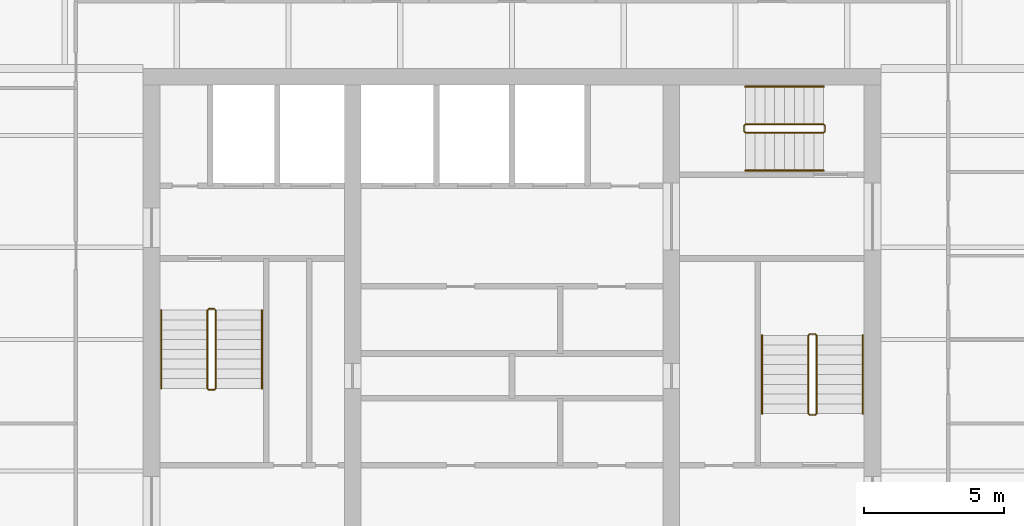
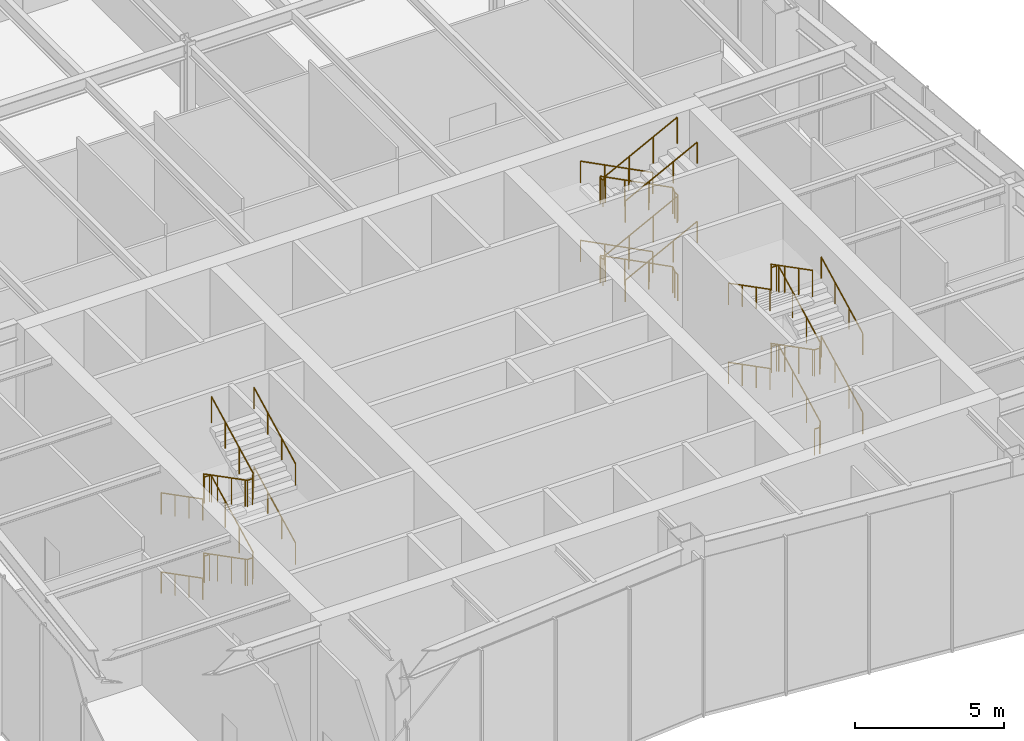
# One storey, part 13 of 15: 15 railings.
"""IFC4 building model written with IfcOpenShell, lengths in metres."""

from ifc_helpers import new_model, si_unit, direction, frame, origin, origin_2d, place, context, subcontext, project, spatial, circle, extrude, material, type_object, element, save


model = new_model("IFC4")

# Units and contexts
model_context = context("Model", 3, precision=1e-05, world=origin(), true_north=direction((0.0, 1.0)))
body_context = subcontext(model_context, "Body", "Model", "MODEL_VIEW")
ifc_project = project(units=[si_unit("LENGTHUNIT", "METRE"), si_unit("AREAUNIT", "SQUARE_METRE"), si_unit("VOLUMEUNIT", "CUBIC_METRE"), si_unit("PLANEANGLEUNIT", "RADIAN"), si_unit("MASSUNIT", "GRAM", prefix="KILO")], contexts=[model_context])

# Site, building, storey
site_placement = place(None, origin())
site = spatial("IfcSite", under=ifc_project, at=site_placement, CompositionType="ELEMENT")
building_placement = place(site_placement, origin())
building = spatial("IfcBuilding", under=site, at=building_placement, Name="Verdant Reach Tower", CompositionType="ELEMENT")
storey_placement = place(building_placement, frame((0.0, 0.0, 334.0)))
storey = spatial("IfcBuildingStorey", under=building, at=storey_placement, Name="L77", CompositionType="ELEMENT", Elevation=334.0)

# Railings
ifc_material = material(Name="Stainless steel", Category="steel")
railing_type_1 = type_object("IfcRailingType", Name="CO-GUARD", PredefinedType="GUARDRAIL", material=ifc_material)
railing_1_placement = place(storey_placement, frame((-10.64990234375, 29.60009765625, 0.0)))
element("IfcRailing", 1, at=railing_1_placement, inside=storey, type_object=railing_type_1, Name="L77 ST-1 stair guard 1", PredefinedType="GUARDRAIL", context=body_context, shape_type="SweptSolid", body=[
    extrude(circle(Radius=0.02392578125, at=origin_2d()), frame((0.0, 0.0, 1.076171875), z_axis=(-1.0, 0.0, 0.0), x_axis=(0.0, -1.0, 0.0)), (0.0, 0.0, 1.0), 0.2001953125),
    extrude(circle(Radius=0.02392578125, at=origin_2d()), frame((-0.2001953125, 0.0, 1.076171875), z_axis=(-0.256763074812, -0.258021717336, 0.931395467455), x_axis=(0.708833529934, -0.705375805398, 0.0)), (0.0, 0.0, 1.0), 0.194091796875),
    extrude(circle(Radius=0.02392578125, at=origin_2d()), frame((-0.25, -0.050048828125, 1.2568359375), z_axis=(0.0, -0.888730658104, 0.458429729998), x_axis=(1.0, 0.0, 0.0)), (0.0, 0.0, 1.0), 3.150634765625),
    extrude(circle(Radius=0.02392578125, at=origin_2d()), frame((-0.25, -2.85009765625, 2.701171875), z_axis=(0.705375805398, -0.708833529934, 0.0), x_axis=(0.708833529934, 0.705375805398, 0.0)), (0.0, 0.0, 1.0), 0.070556640625),
    extrude(circle(Radius=0.02392578125, at=origin_2d()), frame((-0.2001953125, -2.900146484375, 2.701171875), z_axis=(1.0, 0.0, 0.0), x_axis=(0.0, 1.0, 0.0)), (0.0, 0.0, 1.0), 0.2001953125),
    extrude(circle(Radius=0.02392578125, at=origin_2d()), frame((0.0, -2.900146484375, 2.701171875), z_axis=(0.256763074812, 0.258021717336, 0.931395467455), x_axis=(-0.708833529934, 0.705375805398, 0.0)), (0.0, 0.0, 1.0), 0.194091796875),
    extrude(circle(Radius=0.02392578125, at=origin_2d()), frame((0.0498046875, -2.85009765625, 2.8818359375), z_axis=(0.0, 0.888730658104, 0.458429729998), x_axis=(-1.0, 0.0, 0.0)), (0.0, 0.0, 1.0), 3.150634765625),
    extrude(circle(Radius=0.02392578125, at=origin_2d()), frame((0.0498046875, -0.050048828125, 4.326171875), z_axis=(-0.705375805398, 0.708833529934, 0.0), x_axis=(-0.708833529934, -0.705375805398, 0.0)), (0.0, 0.0, 1.0), 0.070556640625),
    extrude(circle(Radius=0.02392578125, at=origin_2d()), frame((0.0, 0.0, 4.326171875), z_axis=(-1.0, 0.0, 0.0), x_axis=(0.0, -1.0, 0.0)), (0.0, 0.0, 1.0), 0.2001953125),
    extrude(circle(Radius=0.02392578125, at=origin_2d()), frame((-0.2001953125, 0.0, 4.326171875), z_axis=(-0.256763074812, -0.258021717336, 0.931395467455), x_axis=(0.708833529934, -0.705375805398, 0.0)), (0.0, 0.0, 1.0), 0.194091796875),
    extrude(circle(Radius=0.02392578125, at=origin_2d()), frame((-0.25, -0.050048828125, 4.5068359375), z_axis=(0.0, -0.888730658104, 0.458429729998), x_axis=(1.0, 0.0, 0.0)), (0.0, 0.0, 1.0), 3.150634765625),
    extrude(circle(Radius=0.02392578125, at=origin_2d()), frame((-0.25, -2.85009765625, 5.951171875), z_axis=(0.705375805398, -0.708833529934, 0.0), x_axis=(0.708833529934, 0.705375805398, 0.0)), (0.0, 0.0, 1.0), 0.070556640625),
    extrude(circle(Radius=0.02392578125, at=origin_2d()), frame((-0.2001953125, -2.900146484375, 5.951171875), z_axis=(1.0, 0.0, 0.0), x_axis=(0.0, 1.0, 0.0)), (0.0, 0.0, 1.0), 0.2001953125),
    extrude(circle(Radius=0.02392578125, at=origin_2d()), frame((0.0, -2.900146484375, 5.951171875), z_axis=(0.256763074812, 0.258021717336, 0.931395467455), x_axis=(-0.708833529934, 0.705375805398, 0.0)), (0.0, 0.0, 1.0), 0.194091796875),
    extrude(circle(Radius=0.02392578125, at=origin_2d()), frame((0.0498046875, -2.85009765625, 6.1318359375), z_axis=(0.0, 0.888730658104, 0.458429729998), x_axis=(-1.0, 0.0, 0.0)), (0.0, 0.0, 1.0), 3.150634765625),
    extrude(circle(Radius=0.02099609375, at=origin_2d()), origin(), (0.0, 0.0, 1.0), 1.052001953125),
    extrude(circle(Radius=0.02099609375, at=origin_2d()), frame((-0.2001953125, 0.0, 0.0)), (0.0, 0.0, 1.0), 1.052001953125),
    extrude(circle(Radius=0.02099609375, at=origin_2d()), frame((-0.25, -0.050048828125, 0.1806640625)), (0.0, 0.0, 1.0), 1.052001953125),
    extrude(circle(Radius=0.02099609375, at=origin_2d()), frame((-0.25, -0.9833984375, 0.662109375)), (0.0, 0.0, 1.0), 1.052001953125),
    extrude(circle(Radius=0.02099609375, at=origin_2d()), frame((-0.25, -1.916748046875, 1.1435546875)), (0.0, 0.0, 1.0), 1.052001953125),
    extrude(circle(Radius=0.02099609375, at=origin_2d()), frame((-0.25, -2.85009765625, 1.625)), (0.0, 0.0, 1.0), 1.052001953125),
    extrude(circle(Radius=0.02099609375, at=origin_2d()), frame((-0.2001953125, -2.900146484375, 1.625)), (0.0, 0.0, 1.0), 1.052001953125),
    extrude(circle(Radius=0.02099609375, at=origin_2d()), frame((0.0, -2.900146484375, 1.625)), (0.0, 0.0, 1.0), 1.052001953125),
    extrude(circle(Radius=0.02099609375, at=origin_2d()), frame((0.0498046875, -2.85009765625, 1.8056640625)), (0.0, 0.0, 1.0), 1.052001953125),
    extrude(circle(Radius=0.02099609375, at=origin_2d()), frame((0.0498046875, -1.916748046875, 2.287109375)), (0.0, 0.0, 1.0), 1.052001953125),
    extrude(circle(Radius=0.02099609375, at=origin_2d()), frame((0.0498046875, -0.9833984375, 2.7685546875)), (0.0, 0.0, 1.0), 1.052001953125),
    extrude(circle(Radius=0.02099609375, at=origin_2d()), frame((0.0498046875, -0.050048828125, 3.25)), (0.0, 0.0, 1.0), 1.052001953125),
    extrude(circle(Radius=0.02099609375, at=origin_2d()), frame((0.0, 0.0, 3.25)), (0.0, 0.0, 1.0), 1.052001953125),
    extrude(circle(Radius=0.02099609375, at=origin_2d()), frame((-0.2001953125, 0.0, 3.25)), (0.0, 0.0, 1.0), 1.052001953125),
    extrude(circle(Radius=0.02099609375, at=origin_2d()), frame((-0.25, -0.050048828125, 3.4306640625)), (0.0, 0.0, 1.0), 1.052001953125),
    extrude(circle(Radius=0.02099609375, at=origin_2d()), frame((-0.25, -0.9833984375, 3.912109375)), (0.0, 0.0, 1.0), 1.052001953125),
    extrude(circle(Radius=0.02099609375, at=origin_2d()), frame((-0.25, -1.916748046875, 4.3935546875)), (0.0, 0.0, 1.0), 1.052001953125),
    extrude(circle(Radius=0.02099609375, at=origin_2d()), frame((-0.25, -2.85009765625, 4.875)), (0.0, 0.0, 1.0), 1.052001953125),
    extrude(circle(Radius=0.02099609375, at=origin_2d()), frame((-0.2001953125, -2.900146484375, 4.875)), (0.0, 0.0, 1.0), 1.052001953125),
    extrude(circle(Radius=0.02099609375, at=origin_2d()), frame((0.0, -2.900146484375, 4.875)), (0.0, 0.0, 1.0), 1.052001953125),
    extrude(circle(Radius=0.02099609375, at=origin_2d()), frame((0.0498046875, -2.85009765625, 5.0556640625)), (0.0, 0.0, 1.0), 1.052001953125),
    extrude(circle(Radius=0.02099609375, at=origin_2d()), frame((0.0498046875, -1.916748046875, 5.537109375)), (0.0, 0.0, 1.0), 1.052001953125),
    extrude(circle(Radius=0.02099609375, at=origin_2d()), frame((0.0498046875, -0.9833984375, 6.0185546875)), (0.0, 0.0, 1.0), 1.052001953125),
    extrude(circle(Radius=0.02099609375, at=origin_2d()), frame((0.0498046875, -0.050048828125, 6.5)), (0.0, 0.0, 1.0), 1.052001953125),
])
railing_2_placement = place(storey_placement, frame((10.64990234375, 25.800048828125, 0.0)))
element("IfcRailing", 2, at=railing_2_placement, inside=storey, type_object=railing_type_1, Name="L77 ST-2 stair guard 1", PredefinedType="GUARDRAIL", context=body_context, shape_type="SweptSolid", body=[
    extrude(circle(Radius=0.02392578125, at=origin_2d()), frame((0.0, 0.0, 1.076171875), z_axis=(1.0, 0.0, 0.0), x_axis=(0.0, 1.0, 0.0)), (0.0, 0.0, 1.0), 0.2001953125),
    extrude(circle(Radius=0.02392578125, at=origin_2d()), frame((0.2001953125, 0.0, 1.076171875), z_axis=(0.256763074812, 0.258021717336, 0.931395467455), x_axis=(-0.708833529934, 0.705375805398, 0.0)), (0.0, 0.0, 1.0), 0.194091796875),
    extrude(circle(Radius=0.02392578125, at=origin_2d()), frame((0.25, 0.050048828125, 1.2568359375), z_axis=(0.0, 0.888714371332, 0.458461302825), x_axis=(-1.0, 0.0, 0.0)), (0.0, 0.0, 1.0), 3.150390625),
    extrude(circle(Radius=0.02392578125, at=origin_2d()), frame((0.25, 2.849853515625, 2.701171875), z_axis=(-0.705375805398, 0.708833529934, 0.0), x_axis=(-0.708833529934, -0.705375805398, 0.0)), (0.0, 0.0, 1.0), 0.070556640625),
    extrude(circle(Radius=0.02392578125, at=origin_2d()), frame((0.2001953125, 2.89990234375, 2.701171875), z_axis=(-1.0, 0.0, 0.0), x_axis=(0.0, -1.0, 0.0)), (0.0, 0.0, 1.0), 0.2001953125),
    extrude(circle(Radius=0.02392578125, at=origin_2d()), frame((0.0, 2.89990234375, 2.701171875), z_axis=(-0.256763074812, -0.258021717336, 0.931395467455), x_axis=(0.708833529934, -0.705375805398, 0.0)), (0.0, 0.0, 1.0), 0.194091796875),
    extrude(circle(Radius=0.02392578125, at=origin_2d()), frame((-0.0498046875, 2.849853515625, 2.8818359375), z_axis=(0.0, -0.888714371332, 0.458461302825), x_axis=(1.0, 0.0, 0.0)), (0.0, 0.0, 1.0), 3.150390625),
    extrude(circle(Radius=0.02392578125, at=origin_2d()), frame((-0.0498046875, 0.050048828125, 4.326171875), z_axis=(0.705375805398, -0.708833529934, 0.0), x_axis=(0.708833529934, 0.705375805398, 0.0)), (0.0, 0.0, 1.0), 0.070556640625),
    extrude(circle(Radius=0.02392578125, at=origin_2d()), frame((0.0, 0.0, 4.326171875), z_axis=(1.0, 0.0, 0.0), x_axis=(0.0, 1.0, 0.0)), (0.0, 0.0, 1.0), 0.2001953125),
    extrude(circle(Radius=0.02392578125, at=origin_2d()), frame((0.2001953125, 0.0, 4.326171875), z_axis=(0.256763074812, 0.258021717336, 0.931395467455), x_axis=(-0.708833529934, 0.705375805398, 0.0)), (0.0, 0.0, 1.0), 0.194091796875),
    extrude(circle(Radius=0.02392578125, at=origin_2d()), frame((0.25, 0.050048828125, 4.5068359375), z_axis=(0.0, 0.888714371332, 0.458461302825), x_axis=(-1.0, 0.0, 0.0)), (0.0, 0.0, 1.0), 3.150390625),
    extrude(circle(Radius=0.02392578125, at=origin_2d()), frame((0.25, 2.849853515625, 5.951171875), z_axis=(-0.705375805398, 0.708833529934, 0.0), x_axis=(-0.708833529934, -0.705375805398, 0.0)), (0.0, 0.0, 1.0), 0.070556640625),
    extrude(circle(Radius=0.02392578125, at=origin_2d()), frame((0.2001953125, 2.89990234375, 5.951171875), z_axis=(-1.0, 0.0, 0.0), x_axis=(0.0, -1.0, 0.0)), (0.0, 0.0, 1.0), 0.2001953125),
    extrude(circle(Radius=0.02392578125, at=origin_2d()), frame((0.0, 2.89990234375, 5.951171875), z_axis=(-0.256763074812, -0.258021717336, 0.931395467455), x_axis=(0.708833529934, -0.705375805398, 0.0)), (0.0, 0.0, 1.0), 0.194091796875),
    extrude(circle(Radius=0.02392578125, at=origin_2d()), frame((-0.0498046875, 2.849853515625, 6.1318359375), z_axis=(0.0, -0.888714371332, 0.458461302825), x_axis=(1.0, 0.0, 0.0)), (0.0, 0.0, 1.0), 3.150390625),
    extrude(circle(Radius=0.02099609375, at=origin_2d()), origin(), (0.0, 0.0, 1.0), 1.052001953125),
    extrude(circle(Radius=0.02099609375, at=origin_2d()), frame((0.2001953125, 0.0, 0.0)), (0.0, 0.0, 1.0), 1.052001953125),
    extrude(circle(Radius=0.02099609375, at=origin_2d()), frame((0.25, 0.050048828125, 0.1806640625)), (0.0, 0.0, 1.0), 1.052001953125),
    extrude(circle(Radius=0.02099609375, at=origin_2d()), frame((0.25, 0.9833984375, 0.662109375)), (0.0, 0.0, 1.0), 1.052001953125),
    extrude(circle(Radius=0.02099609375, at=origin_2d()), frame((0.25, 1.91650390625, 1.1435546875)), (0.0, 0.0, 1.0), 1.052001953125),
    extrude(circle(Radius=0.02099609375, at=origin_2d()), frame((0.25, 2.849853515625, 1.625)), (0.0, 0.0, 1.0), 1.052001953125),
    extrude(circle(Radius=0.02099609375, at=origin_2d()), frame((0.2001953125, 2.89990234375, 1.625)), (0.0, 0.0, 1.0), 1.052001953125),
    extrude(circle(Radius=0.02099609375, at=origin_2d()), frame((0.0, 2.89990234375, 1.625)), (0.0, 0.0, 1.0), 1.052001953125),
    extrude(circle(Radius=0.02099609375, at=origin_2d()), frame((-0.0498046875, 2.849853515625, 1.8056640625)), (0.0, 0.0, 1.0), 1.052001953125),
    extrude(circle(Radius=0.02099609375, at=origin_2d()), frame((-0.0498046875, 1.91650390625, 2.287109375)), (0.0, 0.0, 1.0), 1.052001953125),
    extrude(circle(Radius=0.02099609375, at=origin_2d()), frame((-0.0498046875, 0.9833984375, 2.7685546875)), (0.0, 0.0, 1.0), 1.052001953125),
    extrude(circle(Radius=0.02099609375, at=origin_2d()), frame((-0.0498046875, 0.050048828125, 3.25)), (0.0, 0.0, 1.0), 1.052001953125),
    extrude(circle(Radius=0.02099609375, at=origin_2d()), frame((0.0, 0.0, 3.25)), (0.0, 0.0, 1.0), 1.052001953125),
    extrude(circle(Radius=0.02099609375, at=origin_2d()), frame((0.2001953125, 0.0, 3.25)), (0.0, 0.0, 1.0), 1.052001953125),
    extrude(circle(Radius=0.02099609375, at=origin_2d()), frame((0.25, 0.050048828125, 3.4306640625)), (0.0, 0.0, 1.0), 1.052001953125),
    extrude(circle(Radius=0.02099609375, at=origin_2d()), frame((0.25, 0.9833984375, 3.912109375)), (0.0, 0.0, 1.0), 1.052001953125),
    extrude(circle(Radius=0.02099609375, at=origin_2d()), frame((0.25, 1.91650390625, 4.3935546875)), (0.0, 0.0, 1.0), 1.052001953125),
    extrude(circle(Radius=0.02099609375, at=origin_2d()), frame((0.25, 2.849853515625, 4.875)), (0.0, 0.0, 1.0), 1.052001953125),
    extrude(circle(Radius=0.02099609375, at=origin_2d()), frame((0.2001953125, 2.89990234375, 4.875)), (0.0, 0.0, 1.0), 1.052001953125),
    extrude(circle(Radius=0.02099609375, at=origin_2d()), frame((0.0, 2.89990234375, 4.875)), (0.0, 0.0, 1.0), 1.052001953125),
    extrude(circle(Radius=0.02099609375, at=origin_2d()), frame((-0.0498046875, 2.849853515625, 5.0556640625)), (0.0, 0.0, 1.0), 1.052001953125),
    extrude(circle(Radius=0.02099609375, at=origin_2d()), frame((-0.0498046875, 1.91650390625, 5.537109375)), (0.0, 0.0, 1.0), 1.052001953125),
    extrude(circle(Radius=0.02099609375, at=origin_2d()), frame((-0.0498046875, 0.9833984375, 6.0185546875)), (0.0, 0.0, 1.0), 1.052001953125),
    extrude(circle(Radius=0.02099609375, at=origin_2d()), frame((-0.0498046875, 0.050048828125, 6.5)), (0.0, 0.0, 1.0), 1.052001953125),
])
railing_3_placement = place(storey_placement, frame((11.199951171875, 35.949951171875, 0.0)))
element("IfcRailing", 3, at=railing_3_placement, inside=storey, type_object=railing_type_1, Name="L77 ST-3 stair guard 1", PredefinedType="GUARDRAIL", context=body_context, shape_type="SweptSolid", body=[
    extrude(circle(Radius=0.02392578125, at=origin_2d()), frame((0.0, 0.0, 1.076171875), z_axis=(0.0, 1.0, 0.0), x_axis=(-1.0, 0.0, 0.0)), (0.0, 0.0, 1.0), 0.199951171875),
    extrude(circle(Radius=0.02392578125, at=origin_2d()), frame((0.0, 0.199951171875, 1.076171875), z_axis=(-0.257938167925, 0.257938167925, 0.931093874459), x_axis=(-0.707106781187, -0.707106781187, 0.0)), (0.0, 0.0, 1.0), 0.194091796875),
    extrude(circle(Radius=0.02392578125, at=origin_2d()), frame((-0.050048828125, 0.25, 1.2568359375), z_axis=(-0.888714371332, 0.0, 0.458461302825), x_axis=(0.0, -1.0, 0.0)), (0.0, 0.0, 1.0), 3.150390625),
    extrude(circle(Radius=0.02392578125, at=origin_2d()), frame((-2.849853515625, 0.25, 2.701171875), z_axis=(-0.707106781187, -0.707106781187, 0.0), x_axis=(0.707106781187, -0.707106781187, 0.0)), (0.0, 0.0, 1.0), 0.07080078125),
    extrude(circle(Radius=0.02392578125, at=origin_2d()), frame((-2.89990234375, 0.199951171875, 2.701171875), z_axis=(0.0, -1.0, 0.0), x_axis=(1.0, 0.0, 0.0)), (0.0, 0.0, 1.0), 0.199951171875),
    extrude(circle(Radius=0.02392578125, at=origin_2d()), frame((-2.89990234375, 0.0, 2.701171875), z_axis=(0.257938167925, -0.257938167925, 0.931093874459), x_axis=(0.707106781187, 0.707106781187, 0.0)), (0.0, 0.0, 1.0), 0.194091796875),
    extrude(circle(Radius=0.02392578125, at=origin_2d()), frame((-2.849853515625, -0.050048828125, 2.8818359375), z_axis=(0.888714371332, 0.0, 0.458461302825), x_axis=(0.0, 1.0, 0.0)), (0.0, 0.0, 1.0), 3.150390625),
    extrude(circle(Radius=0.02392578125, at=origin_2d()), frame((-0.050048828125, -0.050048828125, 4.326171875), z_axis=(0.707106781187, 0.707106781187, 0.0), x_axis=(-0.707106781187, 0.707106781187, 0.0)), (0.0, 0.0, 1.0), 0.07080078125),
    extrude(circle(Radius=0.02392578125, at=origin_2d()), frame((0.0, 0.0, 4.326171875), z_axis=(0.0, 1.0, 0.0), x_axis=(-1.0, 0.0, 0.0)), (0.0, 0.0, 1.0), 0.199951171875),
    extrude(circle(Radius=0.02392578125, at=origin_2d()), frame((0.0, 0.199951171875, 4.326171875), z_axis=(-0.257938167925, 0.257938167925, 0.931093874459), x_axis=(-0.707106781187, -0.707106781187, 0.0)), (0.0, 0.0, 1.0), 0.194091796875),
    extrude(circle(Radius=0.02392578125, at=origin_2d()), frame((-0.050048828125, 0.25, 4.5068359375), z_axis=(-0.888714371332, 0.0, 0.458461302825), x_axis=(0.0, -1.0, 0.0)), (0.0, 0.0, 1.0), 3.150390625),
    extrude(circle(Radius=0.02392578125, at=origin_2d()), frame((-2.849853515625, 0.25, 5.951171875), z_axis=(-0.707106781187, -0.707106781187, 0.0), x_axis=(0.707106781187, -0.707106781187, 0.0)), (0.0, 0.0, 1.0), 0.07080078125),
    extrude(circle(Radius=0.02392578125, at=origin_2d()), frame((-2.89990234375, 0.199951171875, 5.951171875), z_axis=(0.0, -1.0, 0.0), x_axis=(1.0, 0.0, 0.0)), (0.0, 0.0, 1.0), 0.199951171875),
    extrude(circle(Radius=0.02392578125, at=origin_2d()), frame((-2.89990234375, 0.0, 5.951171875), z_axis=(0.257938167925, -0.257938167925, 0.931093874459), x_axis=(0.707106781187, 0.707106781187, 0.0)), (0.0, 0.0, 1.0), 0.194091796875),
    extrude(circle(Radius=0.02392578125, at=origin_2d()), frame((-2.849853515625, -0.050048828125, 6.1318359375), z_axis=(0.888714371332, 0.0, 0.458461302825), x_axis=(0.0, 1.0, 0.0)), (0.0, 0.0, 1.0), 3.150390625),
    extrude(circle(Radius=0.02099609375, at=origin_2d()), origin(), (0.0, 0.0, 1.0), 1.052001953125),
    extrude(circle(Radius=0.02099609375, at=origin_2d()), frame((0.0, 0.199951171875, 0.0)), (0.0, 0.0, 1.0), 1.052001953125),
    extrude(circle(Radius=0.02099609375, at=origin_2d()), frame((-0.050048828125, 0.25, 0.1806640625)), (0.0, 0.0, 1.0), 1.052001953125),
    extrude(circle(Radius=0.02099609375, at=origin_2d()), frame((-0.9833984375, 0.25, 0.662109375)), (0.0, 0.0, 1.0), 1.052001953125),
    extrude(circle(Radius=0.02099609375, at=origin_2d()), frame((-1.91650390625, 0.25, 1.1435546875)), (0.0, 0.0, 1.0), 1.052001953125),
    extrude(circle(Radius=0.02099609375, at=origin_2d()), frame((-2.849853515625, 0.25, 1.625)), (0.0, 0.0, 1.0), 1.052001953125),
    extrude(circle(Radius=0.02099609375, at=origin_2d()), frame((-2.89990234375, 0.199951171875, 1.625)), (0.0, 0.0, 1.0), 1.052001953125),
    extrude(circle(Radius=0.02099609375, at=origin_2d()), frame((-2.89990234375, 0.0, 1.625)), (0.0, 0.0, 1.0), 1.052001953125),
    extrude(circle(Radius=0.02099609375, at=origin_2d()), frame((-2.849853515625, -0.050048828125, 1.8056640625)), (0.0, 0.0, 1.0), 1.052001953125),
    extrude(circle(Radius=0.02099609375, at=origin_2d()), frame((-1.91650390625, -0.050048828125, 2.287109375)), (0.0, 0.0, 1.0), 1.052001953125),
    extrude(circle(Radius=0.02099609375, at=origin_2d()), frame((-0.9833984375, -0.050048828125, 2.7685546875)), (0.0, 0.0, 1.0), 1.052001953125),
    extrude(circle(Radius=0.02099609375, at=origin_2d()), frame((-0.050048828125, -0.050048828125, 3.25)), (0.0, 0.0, 1.0), 1.052001953125),
    extrude(circle(Radius=0.02099609375, at=origin_2d()), frame((0.0, 0.0, 3.25)), (0.0, 0.0, 1.0), 1.052001953125),
    extrude(circle(Radius=0.02099609375, at=origin_2d()), frame((0.0, 0.199951171875, 3.25)), (0.0, 0.0, 1.0), 1.052001953125),
    extrude(circle(Radius=0.02099609375, at=origin_2d()), frame((-0.050048828125, 0.25, 3.4306640625)), (0.0, 0.0, 1.0), 1.052001953125),
    extrude(circle(Radius=0.02099609375, at=origin_2d()), frame((-0.9833984375, 0.25, 3.912109375)), (0.0, 0.0, 1.0), 1.052001953125),
    extrude(circle(Radius=0.02099609375, at=origin_2d()), frame((-1.91650390625, 0.25, 4.3935546875)), (0.0, 0.0, 1.0), 1.052001953125),
    extrude(circle(Radius=0.02099609375, at=origin_2d()), frame((-2.849853515625, 0.25, 4.875)), (0.0, 0.0, 1.0), 1.052001953125),
    extrude(circle(Radius=0.02099609375, at=origin_2d()), frame((-2.89990234375, 0.199951171875, 4.875)), (0.0, 0.0, 1.0), 1.052001953125),
    extrude(circle(Radius=0.02099609375, at=origin_2d()), frame((-2.89990234375, 0.0, 4.875)), (0.0, 0.0, 1.0), 1.052001953125),
    extrude(circle(Radius=0.02099609375, at=origin_2d()), frame((-2.849853515625, -0.050048828125, 5.0556640625)), (0.0, 0.0, 1.0), 1.052001953125),
    extrude(circle(Radius=0.02099609375, at=origin_2d()), frame((-1.91650390625, -0.050048828125, 5.537109375)), (0.0, 0.0, 1.0), 1.052001953125),
    extrude(circle(Radius=0.02099609375, at=origin_2d()), frame((-0.9833984375, -0.050048828125, 6.0185546875)), (0.0, 0.0, 1.0), 1.052001953125),
    extrude(circle(Radius=0.02099609375, at=origin_2d()), frame((-0.050048828125, -0.050048828125, 6.5)), (0.0, 0.0, 1.0), 1.052001953125),
])
railing_type_2 = type_object("IfcRailingType", Name="CO-HANDRAIL", PredefinedType="HANDRAIL", material=ifc_material)
railing_4_placement = place(storey_placement, frame((-12.550048828125, 29.550048828125, 0.1806640625)))
element("IfcRailing", 4, at=railing_4_placement, inside=storey, type_object=railing_type_2, Name="L77 ST-1 stair handrail 1", PredefinedType="HANDRAIL", context=body_context, shape_type="SweptSolid", body=[
    extrude(circle(Radius=0.02392578125, at=origin_2d()), frame((0.0, 0.0, 0.8759765625), z_axis=(0.0, -0.888730658104, 0.458429729998), x_axis=(1.0, 0.0, 0.0)), (0.0, 0.0, 1.0), 3.150634765625),
    extrude(circle(Radius=0.02099609375, at=origin_2d()), origin(), (0.0, 0.0, 1.0), 0.851806640625),
    extrude(circle(Radius=0.02099609375, at=origin_2d()), frame((0.0, -0.933349609375, 0.4814453125)), (0.0, 0.0, 1.0), 0.851806640625),
    extrude(circle(Radius=0.02099609375, at=origin_2d()), frame((0.0, -1.86669921875, 0.962890625)), (0.0, 0.0, 1.0), 0.851806640625),
    extrude(circle(Radius=0.02099609375, at=origin_2d()), frame((0.0, -2.800048828125, 1.4443359375)), (0.0, 0.0, 1.0), 0.851806640625),
])
railing_5_placement = place(storey_placement, frame((-8.949951171875, 26.75, 1.8056640625)))
element("IfcRailing", 5, at=railing_5_placement, inside=storey, type_object=railing_type_2, Name="L77 ST-1 stair handrail 2", PredefinedType="HANDRAIL", context=body_context, shape_type="SweptSolid", body=[
    extrude(circle(Radius=0.02392578125, at=origin_2d()), frame((0.0, 0.0, 0.8759765625), z_axis=(0.0, 0.888730658104, 0.458429729998), x_axis=(-1.0, 0.0, 0.0)), (0.0, 0.0, 1.0), 3.150634765625),
    extrude(circle(Radius=0.02099609375, at=origin_2d()), origin(), (0.0, 0.0, 1.0), 0.851806640625),
    extrude(circle(Radius=0.02099609375, at=origin_2d()), frame((0.0, 0.933349609375, 0.4814453125)), (0.0, 0.0, 1.0), 0.851806640625),
    extrude(circle(Radius=0.02099609375, at=origin_2d()), frame((0.0, 1.86669921875, 0.962890625)), (0.0, 0.0, 1.0), 0.851806640625),
    extrude(circle(Radius=0.02099609375, at=origin_2d()), frame((0.0, 2.800048828125, 1.4443359375)), (0.0, 0.0, 1.0), 0.851806640625),
])
railing_6_placement = place(storey_placement, frame((-12.550048828125, 29.550048828125, 3.4306640625)))
element("IfcRailing", 6, at=railing_6_placement, inside=storey, type_object=railing_type_2, Name="L77 ST-1 stair handrail 3", PredefinedType="HANDRAIL", context=body_context, shape_type="SweptSolid", body=[
    extrude(circle(Radius=0.02392578125, at=origin_2d()), frame((0.0, 0.0, 0.8759765625), z_axis=(0.0, -0.888730658104, 0.458429729998), x_axis=(1.0, 0.0, 0.0)), (0.0, 0.0, 1.0), 3.150634765625),
    extrude(circle(Radius=0.02099609375, at=origin_2d()), origin(), (0.0, 0.0, 1.0), 0.851806640625),
    extrude(circle(Radius=0.02099609375, at=origin_2d()), frame((0.0, -0.933349609375, 0.4814453125)), (0.0, 0.0, 1.0), 0.851806640625),
    extrude(circle(Radius=0.02099609375, at=origin_2d()), frame((0.0, -1.86669921875, 0.962890625)), (0.0, 0.0, 1.0), 0.851806640625),
    extrude(circle(Radius=0.02099609375, at=origin_2d()), frame((0.0, -2.800048828125, 1.4443359375)), (0.0, 0.0, 1.0), 0.851806640625),
])
railing_7_placement = place(storey_placement, frame((-8.949951171875, 26.75, 5.0556640625)))
element("IfcRailing", 7, at=railing_7_placement, inside=storey, type_object=railing_type_2, Name="L77 ST-1 stair handrail 4", PredefinedType="HANDRAIL", context=body_context, shape_type="SweptSolid", body=[
    extrude(circle(Radius=0.02392578125, at=origin_2d()), frame((0.0, 0.0, 0.8759765625), z_axis=(0.0, 0.888730658104, 0.458429729998), x_axis=(-1.0, 0.0, 0.0)), (0.0, 0.0, 1.0), 3.150634765625),
    extrude(circle(Radius=0.02099609375, at=origin_2d()), origin(), (0.0, 0.0, 1.0), 0.851806640625),
    extrude(circle(Radius=0.02099609375, at=origin_2d()), frame((0.0, 0.933349609375, 0.4814453125)), (0.0, 0.0, 1.0), 0.851806640625),
    extrude(circle(Radius=0.02099609375, at=origin_2d()), frame((0.0, 1.86669921875, 0.962890625)), (0.0, 0.0, 1.0), 0.851806640625),
    extrude(circle(Radius=0.02099609375, at=origin_2d()), frame((0.0, 2.800048828125, 1.4443359375)), (0.0, 0.0, 1.0), 0.851806640625),
])
railing_8_placement = place(storey_placement, frame((12.550048828125, 25.85009765625, 0.1806640625)))
element("IfcRailing", 8, at=railing_8_placement, inside=storey, type_object=railing_type_2, Name="L77 ST-2 stair handrail 1", PredefinedType="HANDRAIL", context=body_context, shape_type="SweptSolid", body=[
    extrude(circle(Radius=0.02392578125, at=origin_2d()), frame((0.0, 0.0, 0.8759765625), z_axis=(0.0, 0.888714371332, 0.458461302825), x_axis=(-1.0, 0.0, 0.0)), (0.0, 0.0, 1.0), 3.150390625),
    extrude(circle(Radius=0.02099609375, at=origin_2d()), origin(), (0.0, 0.0, 1.0), 0.851806640625),
    extrude(circle(Radius=0.02099609375, at=origin_2d()), frame((0.0, 0.933349609375, 0.4814453125)), (0.0, 0.0, 1.0), 0.851806640625),
    extrude(circle(Radius=0.02099609375, at=origin_2d()), frame((0.0, 1.866455078125, 0.962890625)), (0.0, 0.0, 1.0), 0.851806640625),
    extrude(circle(Radius=0.02099609375, at=origin_2d()), frame((0.0, 2.7998046875, 1.4443359375)), (0.0, 0.0, 1.0), 0.851806640625),
])
railing_9_placement = place(storey_placement, frame((8.949951171875, 28.64990234375, 1.8056640625)))
element("IfcRailing", 9, at=railing_9_placement, inside=storey, type_object=railing_type_2, Name="L77 ST-2 stair handrail 2", PredefinedType="HANDRAIL", context=body_context, shape_type="SweptSolid", body=[
    extrude(circle(Radius=0.02392578125, at=origin_2d()), frame((0.0, 0.0, 0.8759765625), z_axis=(0.0, -0.888714371332, 0.458461302825), x_axis=(1.0, 0.0, 0.0)), (0.0, 0.0, 1.0), 3.150390625),
    extrude(circle(Radius=0.02099609375, at=origin_2d()), origin(), (0.0, 0.0, 1.0), 0.851806640625),
    extrude(circle(Radius=0.02099609375, at=origin_2d()), frame((0.0, -0.933349609375, 0.4814453125)), (0.0, 0.0, 1.0), 0.851806640625),
    extrude(circle(Radius=0.02099609375, at=origin_2d()), frame((0.0, -1.866455078125, 0.962890625)), (0.0, 0.0, 1.0), 0.851806640625),
    extrude(circle(Radius=0.02099609375, at=origin_2d()), frame((0.0, -2.7998046875, 1.4443359375)), (0.0, 0.0, 1.0), 0.851806640625),
])
railing_10_placement = place(storey_placement, frame((12.550048828125, 25.85009765625, 3.4306640625)))
element("IfcRailing", 10, at=railing_10_placement, inside=storey, type_object=railing_type_2, Name="L77 ST-2 stair handrail 3", PredefinedType="HANDRAIL", context=body_context, shape_type="SweptSolid", body=[
    extrude(circle(Radius=0.02392578125, at=origin_2d()), frame((0.0, 0.0, 0.8759765625), z_axis=(0.0, 0.888714371332, 0.458461302825), x_axis=(-1.0, 0.0, 0.0)), (0.0, 0.0, 1.0), 3.150390625),
    extrude(circle(Radius=0.02099609375, at=origin_2d()), origin(), (0.0, 0.0, 1.0), 0.851806640625),
    extrude(circle(Radius=0.02099609375, at=origin_2d()), frame((0.0, 0.933349609375, 0.4814453125)), (0.0, 0.0, 1.0), 0.851806640625),
    extrude(circle(Radius=0.02099609375, at=origin_2d()), frame((0.0, 1.866455078125, 0.962890625)), (0.0, 0.0, 1.0), 0.851806640625),
    extrude(circle(Radius=0.02099609375, at=origin_2d()), frame((0.0, 2.7998046875, 1.4443359375)), (0.0, 0.0, 1.0), 0.851806640625),
])
railing_11_placement = place(storey_placement, frame((8.949951171875, 28.64990234375, 5.0556640625)))
element("IfcRailing", 11, at=railing_11_placement, inside=storey, type_object=railing_type_2, Name="L77 ST-2 stair handrail 4", PredefinedType="HANDRAIL", context=body_context, shape_type="SweptSolid", body=[
    extrude(circle(Radius=0.02392578125, at=origin_2d()), frame((0.0, 0.0, 0.8759765625), z_axis=(0.0, -0.888714371332, 0.458461302825), x_axis=(1.0, 0.0, 0.0)), (0.0, 0.0, 1.0), 3.150390625),
    extrude(circle(Radius=0.02099609375, at=origin_2d()), origin(), (0.0, 0.0, 1.0), 0.851806640625),
    extrude(circle(Radius=0.02099609375, at=origin_2d()), frame((0.0, -0.933349609375, 0.4814453125)), (0.0, 0.0, 1.0), 0.851806640625),
    extrude(circle(Radius=0.02099609375, at=origin_2d()), frame((0.0, -1.866455078125, 0.962890625)), (0.0, 0.0, 1.0), 0.851806640625),
    extrude(circle(Radius=0.02099609375, at=origin_2d()), frame((0.0, -2.7998046875, 1.4443359375)), (0.0, 0.0, 1.0), 0.851806640625),
])
railing_12_placement = place(storey_placement, frame((11.14990234375, 37.550048828125, 0.1806640625)))
element("IfcRailing", 12, at=railing_12_placement, inside=storey, type_object=railing_type_2, Name="L77 ST-3 stair handrail 1", PredefinedType="HANDRAIL", context=body_context, shape_type="SweptSolid", body=[
    extrude(circle(Radius=0.02392578125, at=origin_2d()), frame((0.0, 0.0, 0.8759765625), z_axis=(-0.888714371332, 0.0, 0.458461302825), x_axis=(0.0, -1.0, 0.0)), (0.0, 0.0, 1.0), 3.150390625),
    extrude(circle(Radius=0.02099609375, at=origin_2d()), origin(), (0.0, 0.0, 1.0), 0.851806640625),
    extrude(circle(Radius=0.02099609375, at=origin_2d()), frame((-0.933349609375, 0.0, 0.4814453125)), (0.0, 0.0, 1.0), 0.851806640625),
    extrude(circle(Radius=0.02099609375, at=origin_2d()), frame((-1.866455078125, 0.0, 0.962890625)), (0.0, 0.0, 1.0), 0.851806640625),
    extrude(circle(Radius=0.02099609375, at=origin_2d()), frame((-2.7998046875, 0.0, 1.4443359375)), (0.0, 0.0, 1.0), 0.851806640625),
])
railing_13_placement = place(storey_placement, frame((8.35009765625, 34.550048828125, 1.8056640625)))
element("IfcRailing", 13, at=railing_13_placement, inside=storey, type_object=railing_type_2, Name="L77 ST-3 stair handrail 2", PredefinedType="HANDRAIL", context=body_context, shape_type="SweptSolid", body=[
    extrude(circle(Radius=0.02392578125, at=origin_2d()), frame((0.0, 0.0, 0.8759765625), z_axis=(0.888714371332, 0.0, 0.458461302825), x_axis=(0.0, 1.0, 0.0)), (0.0, 0.0, 1.0), 3.150390625),
    extrude(circle(Radius=0.02099609375, at=origin_2d()), origin(), (0.0, 0.0, 1.0), 0.851806640625),
    extrude(circle(Radius=0.02099609375, at=origin_2d()), frame((0.933349609375, 0.0, 0.4814453125)), (0.0, 0.0, 1.0), 0.851806640625),
    extrude(circle(Radius=0.02099609375, at=origin_2d()), frame((1.866455078125, 0.0, 0.962890625)), (0.0, 0.0, 1.0), 0.851806640625),
    extrude(circle(Radius=0.02099609375, at=origin_2d()), frame((2.7998046875, 0.0, 1.4443359375)), (0.0, 0.0, 1.0), 0.851806640625),
])
railing_14_placement = place(storey_placement, frame((11.14990234375, 37.550048828125, 3.4306640625)))
element("IfcRailing", 14, at=railing_14_placement, inside=storey, type_object=railing_type_2, Name="L77 ST-3 stair handrail 3", PredefinedType="HANDRAIL", context=body_context, shape_type="SweptSolid", body=[
    extrude(circle(Radius=0.02392578125, at=origin_2d()), frame((0.0, 0.0, 0.8759765625), z_axis=(-0.888714371332, 0.0, 0.458461302825), x_axis=(0.0, -1.0, 0.0)), (0.0, 0.0, 1.0), 3.150390625),
    extrude(circle(Radius=0.02099609375, at=origin_2d()), origin(), (0.0, 0.0, 1.0), 0.851806640625),
    extrude(circle(Radius=0.02099609375, at=origin_2d()), frame((-0.933349609375, 0.0, 0.4814453125)), (0.0, 0.0, 1.0), 0.851806640625),
    extrude(circle(Radius=0.02099609375, at=origin_2d()), frame((-1.866455078125, 0.0, 0.962890625)), (0.0, 0.0, 1.0), 0.851806640625),
    extrude(circle(Radius=0.02099609375, at=origin_2d()), frame((-2.7998046875, 0.0, 1.4443359375)), (0.0, 0.0, 1.0), 0.851806640625),
])
railing_15_placement = place(storey_placement, frame((8.35009765625, 34.550048828125, 5.0556640625)))
element("IfcRailing", 15, at=railing_15_placement, inside=storey, type_object=railing_type_2, Name="L77 ST-3 stair handrail 4", PredefinedType="HANDRAIL", context=body_context, shape_type="SweptSolid", body=[
    extrude(circle(Radius=0.02392578125, at=origin_2d()), frame((0.0, 0.0, 0.8759765625), z_axis=(0.888714371332, 0.0, 0.458461302825), x_axis=(0.0, 1.0, 0.0)), (0.0, 0.0, 1.0), 3.150390625),
    extrude(circle(Radius=0.02099609375, at=origin_2d()), origin(), (0.0, 0.0, 1.0), 0.851806640625),
    extrude(circle(Radius=0.02099609375, at=origin_2d()), frame((0.933349609375, 0.0, 0.4814453125)), (0.0, 0.0, 1.0), 0.851806640625),
    extrude(circle(Radius=0.02099609375, at=origin_2d()), frame((1.866455078125, 0.0, 0.962890625)), (0.0, 0.0, 1.0), 0.851806640625),
    extrude(circle(Radius=0.02099609375, at=origin_2d()), frame((2.7998046875, 0.0, 1.4443359375)), (0.0, 0.0, 1.0), 0.851806640625),
])

save(model, "model.ifc")
